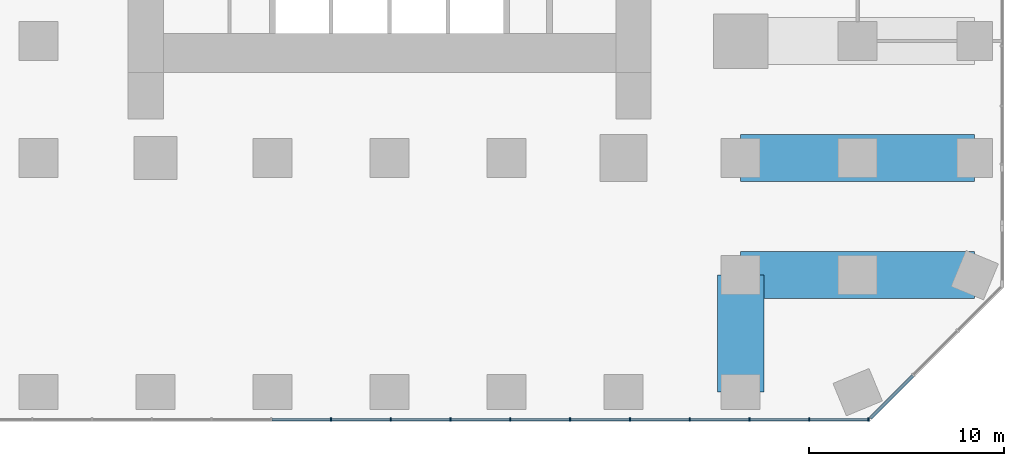
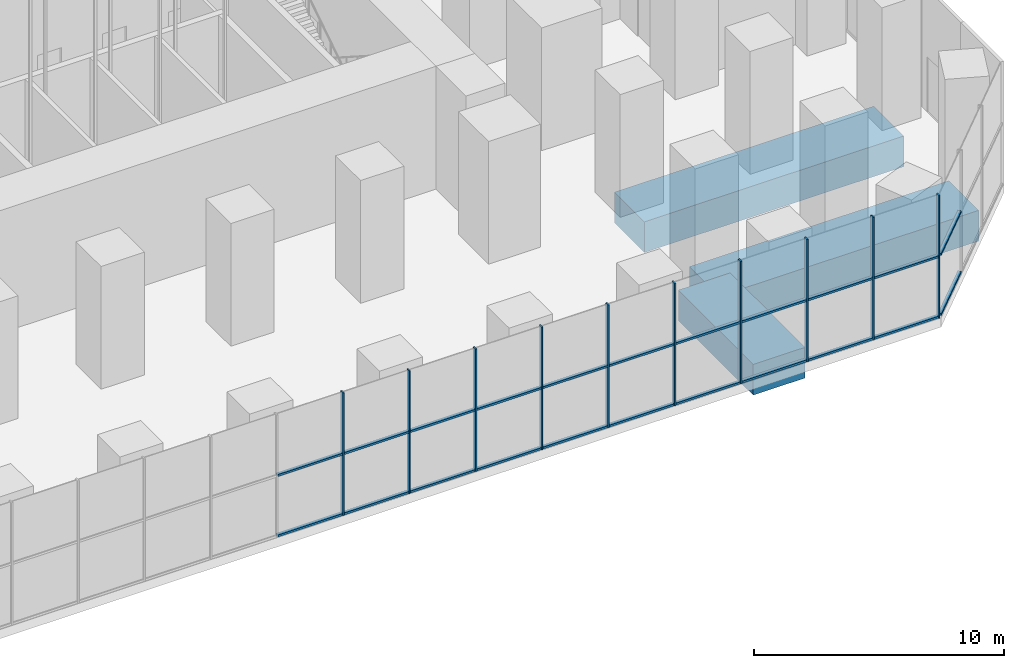
# One storey, part 4 of 21: 32 members, 3 beams, 2 elements without a shape of their own.
"""IFC4 building model written with IfcOpenShell, lengths in metres."""

from ifc_helpers import new_model, si_unit, direction, frame, origin, origin_2d, place, context, subcontext, project, spatial, rectangle, extrude, material, layer, layer_set, material_profile, profile_set, type_object, element, aggregate, save


model = new_model("IFC4")

# Units and contexts
model_context = context("Model", 3, precision=1e-05, world=origin(), true_north=direction((0.0, 1.0)))
body_context = subcontext(model_context, "Body", "Model", "MODEL_VIEW")
ifc_project = project(units=[si_unit("LENGTHUNIT", "METRE"), si_unit("AREAUNIT", "SQUARE_METRE"), si_unit("VOLUMEUNIT", "CUBIC_METRE"), si_unit("PLANEANGLEUNIT", "RADIAN"), si_unit("MASSUNIT", "GRAM", prefix="KILO")], contexts=[model_context])

# Site, building, storey
site_placement = place(None, origin())
site = spatial("IfcSite", under=ifc_project, at=site_placement, CompositionType="ELEMENT")
building_placement = place(site_placement, origin())
building = spatial("IfcBuilding", under=site, at=building_placement, Name="Highveld Stack Headquarters", CompositionType="ELEMENT")
storey_placement = place(building_placement, origin())
storey = spatial("IfcBuildingStorey", under=building, at=storey_placement, Name="L00", CompositionType="ELEMENT", Elevation=0.0)

# Curtain wall, members
ifc_material_1 = material(Name="Aluminium bronze anodised", Category="aluminium")
ifc_layer = layer(ifc_material_1, 0.199951171875)
ifc_layer_set = layer_set([ifc_layer], Name="Aluminium bronze anodised")
curtain_wall_type = type_object("IfcCurtainWallType", Name="CW3 PODIUM STICK CURTAIN WALL", PredefinedType="NOTDEFINED", material=ifc_layer_set)
curtain_wall_1_placement = place(storey_placement, origin())
curtain_wall_1 = element("IfcCurtainWall", 1, at=curtain_wall_1_placement, inside=storey, type_object=curtain_wall_type, Name="Curtain wall CW3 L00 S", PredefinedType="NOTDEFINED")
ifc_material_2 = material(Name="Aluminium bronze anodised", Category="aluminium")
ifc_material_profile_1 = material_profile(ifc_material_2, rectangle(XDim=0.199951171875, YDim=0.06494140625, at=origin_2d()), Name="CW3 MULLION 65x200")
ifc_profile_set_1 = profile_set([ifc_material_profile_1], Name="Aluminium bronze anodised")
member_type_1 = type_object("IfcMemberType", Name="CW3 MULLION 65x200", PredefinedType="MULLION", material=ifc_profile_set_1)
member_1_placement = place(storey_placement, frame((3.0, -25.39990234375, 0.0), z_axis=(0.0, 0.0, 1.0), x_axis=(0.0, 1.0, 0.0)))
member_1 = element("IfcMember", 2, at=member_1_placement, type_object=member_type_1, Name="CW3 mullion L00 10", PredefinedType="MULLION", context=body_context, shape_type="SweptSolid", body=[
    extrude(rectangle(XDim=0.199951171875, YDim=0.06494140625, at=origin_2d()), origin(), (0.0, 0.0, 1.0), 6.0),
])
member_2_placement = place(storey_placement, frame((6.064453125, -25.39990234375, 0.0), z_axis=(0.0, 0.0, 1.0), x_axis=(0.0, 1.0, 0.0)))
member_2 = element("IfcMember", 3, at=member_2_placement, type_object=member_type_1, Name="CW3 mullion L00 11", PredefinedType="MULLION", context=body_context, shape_type="SweptSolid", body=[
    extrude(rectangle(XDim=0.199951171875, YDim=0.06494140625, at=origin_2d()), origin(), (0.0, 0.0, 1.0), 6.0),
])
member_3_placement = place(storey_placement, frame((9.12890625, -25.39990234375, 0.0), z_axis=(0.0, 0.0, 1.0), x_axis=(0.0, 1.0, 0.0)))
member_3 = element("IfcMember", 4, at=member_3_placement, type_object=member_type_1, Name="CW3 mullion L00 12", PredefinedType="MULLION", context=body_context, shape_type="SweptSolid", body=[
    extrude(rectangle(XDim=0.199951171875, YDim=0.06494140625, at=origin_2d()), origin(), (0.0, 0.0, 1.0), 6.0),
])
member_4_placement = place(storey_placement, frame((12.193359375, -25.39990234375, 0.0), z_axis=(0.0, 0.0, 1.0), x_axis=(0.0, 1.0, 0.0)))
member_4 = element("IfcMember", 5, at=member_4_placement, type_object=member_type_1, Name="CW3 mullion L00 13", PredefinedType="MULLION", context=body_context, shape_type="SweptSolid", body=[
    extrude(rectangle(XDim=0.199951171875, YDim=0.06494140625, at=origin_2d()), origin(), (0.0, 0.0, 1.0), 6.0),
])
member_5_placement = place(storey_placement, frame((15.2578125, -25.39990234375, 0.0), z_axis=(0.0, 0.0, 1.0), x_axis=(0.0, 1.0, 0.0)))
member_5 = element("IfcMember", 6, at=member_5_placement, type_object=member_type_1, Name="CW3 mullion L00 14", PredefinedType="MULLION", context=body_context, shape_type="SweptSolid", body=[
    extrude(rectangle(XDim=0.199951171875, YDim=0.06494140625, at=origin_2d()), origin(), (0.0, 0.0, 1.0), 6.0),
])
member_6_placement = place(storey_placement, frame((18.322265625, -25.39990234375, 0.0), z_axis=(0.0, 0.0, 1.0), x_axis=(0.0, 1.0, 0.0)))
member_6 = element("IfcMember", 7, at=member_6_placement, type_object=member_type_1, Name="CW3 mullion L00 15", PredefinedType="MULLION", context=body_context, shape_type="SweptSolid", body=[
    extrude(rectangle(XDim=0.199951171875, YDim=0.06494140625, at=origin_2d()), origin(), (0.0, 0.0, 1.0), 6.0),
])
member_7_placement = place(storey_placement, frame((21.38671875, -25.39990234375, 0.0), z_axis=(0.0, 0.0, 1.0), x_axis=(0.0, 1.0, 0.0)))
member_7 = element("IfcMember", 8, at=member_7_placement, type_object=member_type_1, Name="CW3 mullion L00 16", PredefinedType="MULLION", context=body_context, shape_type="SweptSolid", body=[
    extrude(rectangle(XDim=0.199951171875, YDim=0.06494140625, at=origin_2d()), origin(), (0.0, 0.0, 1.0), 6.0),
])
member_8_placement = place(storey_placement, frame((24.450927734375, -25.39990234375, 0.0), z_axis=(0.0, 0.0, 1.0), x_axis=(0.0, 1.0, 0.0)))
member_8 = element("IfcMember", 9, at=member_8_placement, type_object=member_type_1, Name="CW3 mullion L00 17", PredefinedType="MULLION", context=body_context, shape_type="SweptSolid", body=[
    extrude(rectangle(XDim=0.199951171875, YDim=0.06494140625, at=origin_2d()), origin(), (0.0, 0.0, 1.0), 6.0),
])
member_9_placement = place(storey_placement, frame((27.515380859375, -25.39990234375, 0.0), z_axis=(0.0, 0.0, 1.0), x_axis=(0.0, 1.0, 0.0)))
member_9 = element("IfcMember", 10, at=member_9_placement, type_object=member_type_1, Name="CW3 mullion L00 18", PredefinedType="MULLION", context=body_context, shape_type="SweptSolid", body=[
    extrude(rectangle(XDim=0.199951171875, YDim=0.06494140625, at=origin_2d()), origin(), (0.0, 0.0, 1.0), 6.0),
])
member_10_placement = place(storey_placement, frame((30.54736328125, -25.39990234375, 0.0), z_axis=(0.0, 0.0, 1.0), x_axis=(0.0, 1.0, 0.0)))
member_10 = element("IfcMember", 11, at=member_10_placement, type_object=member_type_1, Name="CW3 mullion L00 19", PredefinedType="MULLION", context=body_context, shape_type="SweptSolid", body=[
    extrude(rectangle(XDim=0.199951171875, YDim=0.06494140625, at=origin_2d()), origin(), (0.0, 0.0, 1.0), 6.0),
])
ifc_material_3 = material(Name="Aluminium bronze anodised", Category="aluminium")
ifc_material_profile_2 = material_profile(ifc_material_3, rectangle(XDim=0.14990234375, YDim=0.10009765625, at=origin_2d()), Name="CW3 TRANSOM 150x100")
ifc_profile_set_2 = profile_set([ifc_material_profile_2], Name="Aluminium bronze anodised")
member_type_2 = type_object("IfcMemberType", Name="CW3 STACK TRANSOM 150x100", PredefinedType="USERDEFINED", material=ifc_profile_set_2)
member_11_placement = place(storey_placement, frame((-0.031982421875, -25.39990234375, 0.050048828125), z_axis=(1.0, 0.0, 0.0), x_axis=(0.0, 1.0, 0.0)))
member_11 = element("IfcMember", 12, at=member_11_placement, type_object=member_type_2, Name="CW3 transom L00 9.1", ObjectType="TRANSOM", PredefinedType="USERDEFINED", context=body_context, shape_type="SweptSolid", body=[
    extrude(rectangle(XDim=0.14990234375, YDim=0.10009765625, at=origin_2d()), origin(), (0.0, 0.0, 1.0), 2.99951171875),
])
member_12_placement = place(storey_placement, frame((-0.031982421875, -25.39990234375, 3.0), z_axis=(1.0, 0.0, 0.0), x_axis=(0.0, 1.0, 0.0)))
member_12 = element("IfcMember", 13, at=member_12_placement, type_object=member_type_2, Name="CW3 transom L00 9.2", ObjectType="TRANSOM", PredefinedType="USERDEFINED", context=body_context, shape_type="SweptSolid", body=[
    extrude(rectangle(XDim=0.14990234375, YDim=0.10009765625, at=origin_2d()), origin(), (0.0, 0.0, 1.0), 2.99951171875),
])
member_13_placement = place(storey_placement, frame((3.032470703125, -25.39990234375, 0.050048828125), z_axis=(1.0, 0.0, 0.0), x_axis=(0.0, 1.0, 0.0)))
member_13 = element("IfcMember", 14, at=member_13_placement, type_object=member_type_2, Name="CW3 transom L00 10.1", ObjectType="TRANSOM", PredefinedType="USERDEFINED", context=body_context, shape_type="SweptSolid", body=[
    extrude(rectangle(XDim=0.14990234375, YDim=0.10009765625, at=origin_2d()), origin(), (0.0, 0.0, 1.0), 2.99951171875),
])
member_14_placement = place(storey_placement, frame((3.032470703125, -25.39990234375, 3.0), z_axis=(1.0, 0.0, 0.0), x_axis=(0.0, 1.0, 0.0)))
member_14 = element("IfcMember", 15, at=member_14_placement, type_object=member_type_2, Name="CW3 transom L00 10.2", ObjectType="TRANSOM", PredefinedType="USERDEFINED", context=body_context, shape_type="SweptSolid", body=[
    extrude(rectangle(XDim=0.14990234375, YDim=0.10009765625, at=origin_2d()), origin(), (0.0, 0.0, 1.0), 2.99951171875),
])
member_15_placement = place(storey_placement, frame((6.096923828125, -25.39990234375, 0.050048828125), z_axis=(1.0, 0.0, 0.0), x_axis=(0.0, 1.0, 0.0)))
member_15 = element("IfcMember", 16, at=member_15_placement, type_object=member_type_2, Name="CW3 transom L00 11.1", ObjectType="TRANSOM", PredefinedType="USERDEFINED", context=body_context, shape_type="SweptSolid", body=[
    extrude(rectangle(XDim=0.14990234375, YDim=0.10009765625, at=origin_2d()), origin(), (0.0, 0.0, 1.0), 2.99951171875),
])
member_16_placement = place(storey_placement, frame((6.096923828125, -25.39990234375, 3.0), z_axis=(1.0, 0.0, 0.0), x_axis=(0.0, 1.0, 0.0)))
member_16 = element("IfcMember", 17, at=member_16_placement, type_object=member_type_2, Name="CW3 transom L00 11.2", ObjectType="TRANSOM", PredefinedType="USERDEFINED", context=body_context, shape_type="SweptSolid", body=[
    extrude(rectangle(XDim=0.14990234375, YDim=0.10009765625, at=origin_2d()), origin(), (0.0, 0.0, 1.0), 2.99951171875),
])
member_17_placement = place(storey_placement, frame((9.161376953125, -25.39990234375, 0.050048828125), z_axis=(1.0, 0.0, 0.0), x_axis=(0.0, 1.0, 0.0)))
member_17 = element("IfcMember", 18, at=member_17_placement, type_object=member_type_2, Name="CW3 transom L00 12.1", ObjectType="TRANSOM", PredefinedType="USERDEFINED", context=body_context, shape_type="SweptSolid", body=[
    extrude(rectangle(XDim=0.14990234375, YDim=0.10009765625, at=origin_2d()), origin(), (0.0, 0.0, 1.0), 2.99951171875),
])
member_18_placement = place(storey_placement, frame((9.161376953125, -25.39990234375, 3.0), z_axis=(1.0, 0.0, 0.0), x_axis=(0.0, 1.0, 0.0)))
member_18 = element("IfcMember", 19, at=member_18_placement, type_object=member_type_2, Name="CW3 transom L00 12.2", ObjectType="TRANSOM", PredefinedType="USERDEFINED", context=body_context, shape_type="SweptSolid", body=[
    extrude(rectangle(XDim=0.14990234375, YDim=0.10009765625, at=origin_2d()), origin(), (0.0, 0.0, 1.0), 2.99951171875),
])
member_19_placement = place(storey_placement, frame((12.225830078125, -25.39990234375, 0.050048828125), z_axis=(1.0, 0.0, 0.0), x_axis=(0.0, 1.0, 0.0)))
member_19 = element("IfcMember", 20, at=member_19_placement, type_object=member_type_2, Name="CW3 transom L00 13.1", ObjectType="TRANSOM", PredefinedType="USERDEFINED", context=body_context, shape_type="SweptSolid", body=[
    extrude(rectangle(XDim=0.14990234375, YDim=0.10009765625, at=origin_2d()), origin(), (0.0, 0.0, 1.0), 2.999267578125),
])
member_20_placement = place(storey_placement, frame((12.225830078125, -25.39990234375, 3.0), z_axis=(1.0, 0.0, 0.0), x_axis=(0.0, 1.0, 0.0)))
member_20 = element("IfcMember", 21, at=member_20_placement, type_object=member_type_2, Name="CW3 transom L00 13.2", ObjectType="TRANSOM", PredefinedType="USERDEFINED", context=body_context, shape_type="SweptSolid", body=[
    extrude(rectangle(XDim=0.14990234375, YDim=0.10009765625, at=origin_2d()), origin(), (0.0, 0.0, 1.0), 2.999267578125),
])
member_21_placement = place(storey_placement, frame((15.290283203125, -25.39990234375, 0.050048828125), z_axis=(1.0, 0.0, 0.0), x_axis=(0.0, 1.0, 0.0)))
member_21 = element("IfcMember", 22, at=member_21_placement, type_object=member_type_2, Name="CW3 transom L00 14.1", ObjectType="TRANSOM", PredefinedType="USERDEFINED", context=body_context, shape_type="SweptSolid", body=[
    extrude(rectangle(XDim=0.14990234375, YDim=0.10009765625, at=origin_2d()), origin(), (0.0, 0.0, 1.0), 2.99951171875),
])
member_22_placement = place(storey_placement, frame((15.290283203125, -25.39990234375, 3.0), z_axis=(1.0, 0.0, 0.0), x_axis=(0.0, 1.0, 0.0)))
member_22 = element("IfcMember", 23, at=member_22_placement, type_object=member_type_2, Name="CW3 transom L00 14.2", ObjectType="TRANSOM", PredefinedType="USERDEFINED", context=body_context, shape_type="SweptSolid", body=[
    extrude(rectangle(XDim=0.14990234375, YDim=0.10009765625, at=origin_2d()), origin(), (0.0, 0.0, 1.0), 2.99951171875),
])
member_23_placement = place(storey_placement, frame((18.354736328125, -25.39990234375, 0.050048828125), z_axis=(1.0, 0.0, 0.0), x_axis=(0.0, 1.0, 0.0)))
member_23 = element("IfcMember", 24, at=member_23_placement, type_object=member_type_2, Name="CW3 transom L00 15.1", ObjectType="TRANSOM", PredefinedType="USERDEFINED", context=body_context, shape_type="SweptSolid", body=[
    extrude(rectangle(XDim=0.14990234375, YDim=0.10009765625, at=origin_2d()), origin(), (0.0, 0.0, 1.0), 2.999267578125),
])
member_24_placement = place(storey_placement, frame((18.354736328125, -25.39990234375, 3.0), z_axis=(1.0, 0.0, 0.0), x_axis=(0.0, 1.0, 0.0)))
member_24 = element("IfcMember", 25, at=member_24_placement, type_object=member_type_2, Name="CW3 transom L00 15.2", ObjectType="TRANSOM", PredefinedType="USERDEFINED", context=body_context, shape_type="SweptSolid", body=[
    extrude(rectangle(XDim=0.14990234375, YDim=0.10009765625, at=origin_2d()), origin(), (0.0, 0.0, 1.0), 2.999267578125),
])
member_25_placement = place(storey_placement, frame((21.419189453125, -25.39990234375, 0.050048828125), z_axis=(1.0, 0.0, 0.0), x_axis=(0.0, 1.0, 0.0)))
member_25 = element("IfcMember", 26, at=member_25_placement, type_object=member_type_2, Name="CW3 transom L00 16.1", ObjectType="TRANSOM", PredefinedType="USERDEFINED", context=body_context, shape_type="SweptSolid", body=[
    extrude(rectangle(XDim=0.14990234375, YDim=0.10009765625, at=origin_2d()), origin(), (0.0, 0.0, 1.0), 2.999267578125),
])
member_26_placement = place(storey_placement, frame((21.419189453125, -25.39990234375, 3.0), z_axis=(1.0, 0.0, 0.0), x_axis=(0.0, 1.0, 0.0)))
member_26 = element("IfcMember", 27, at=member_26_placement, type_object=member_type_2, Name="CW3 transom L00 16.2", ObjectType="TRANSOM", PredefinedType="USERDEFINED", context=body_context, shape_type="SweptSolid", body=[
    extrude(rectangle(XDim=0.14990234375, YDim=0.10009765625, at=origin_2d()), origin(), (0.0, 0.0, 1.0), 2.999267578125),
])
member_27_placement = place(storey_placement, frame((24.4833984375, -25.39990234375, 0.050048828125), z_axis=(1.0, 0.0, 0.0), x_axis=(0.0, 1.0, 0.0)))
member_27 = element("IfcMember", 28, at=member_27_placement, type_object=member_type_2, Name="CW3 transom L00 17.1", ObjectType="TRANSOM", PredefinedType="USERDEFINED", context=body_context, shape_type="SweptSolid", body=[
    extrude(rectangle(XDim=0.14990234375, YDim=0.10009765625, at=origin_2d()), origin(), (0.0, 0.0, 1.0), 2.99951171875),
])
member_28_placement = place(storey_placement, frame((24.4833984375, -25.39990234375, 3.0), z_axis=(1.0, 0.0, 0.0), x_axis=(0.0, 1.0, 0.0)))
member_28 = element("IfcMember", 29, at=member_28_placement, type_object=member_type_2, Name="CW3 transom L00 17.2", ObjectType="TRANSOM", PredefinedType="USERDEFINED", context=body_context, shape_type="SweptSolid", body=[
    extrude(rectangle(XDim=0.14990234375, YDim=0.10009765625, at=origin_2d()), origin(), (0.0, 0.0, 1.0), 2.99951171875),
])
member_29_placement = place(storey_placement, frame((27.548095703125, -25.39990234375, 0.050048828125), z_axis=(1.0, 0.0, 0.0), x_axis=(0.0, 1.0, 0.0)))
member_29 = element("IfcMember", 30, at=member_29_placement, type_object=member_type_2, Name="CW3 transom L00 18.1", ObjectType="TRANSOM", PredefinedType="USERDEFINED", context=body_context, shape_type="SweptSolid", body=[
    extrude(rectangle(XDim=0.14990234375, YDim=0.10009765625, at=origin_2d()), origin(), (0.0, 0.0, 1.0), 2.966796875),
])
member_30_placement = place(storey_placement, frame((27.548095703125, -25.39990234375, 3.0), z_axis=(1.0, 0.0, 0.0), x_axis=(0.0, 1.0, 0.0)))
member_30 = element("IfcMember", 31, at=member_30_placement, type_object=member_type_2, Name="CW3 transom L00 18.2", ObjectType="TRANSOM", PredefinedType="USERDEFINED", context=body_context, shape_type="SweptSolid", body=[
    extrude(rectangle(XDim=0.14990234375, YDim=0.10009765625, at=origin_2d()), origin(), (0.0, 0.0, 1.0), 2.966796875),
])
aggregate(curtain_wall_1, [member_1, member_2, member_3, member_4, member_5, member_6, member_7, member_8, member_9, member_10, member_11, member_12, member_13, member_14, member_15, member_16, member_17, member_18, member_19, member_20, member_21, member_22, member_23, member_24, member_25, member_26, member_27, member_28, member_29, member_30])

curtain_wall_2_placement = place(storey_placement, origin())
curtain_wall_2 = element("IfcCurtainWall", 32, at=curtain_wall_2_placement, inside=storey, type_object=curtain_wall_type, Name="Curtain wall CW3 L00 SE", PredefinedType="NOTDEFINED")
member_31_placement = place(storey_placement, frame((30.650634765625, -25.329345703125, 0.050048828125), z_axis=(0.707106781187, 0.707106781187, 0.0), x_axis=(-0.707106781187, 0.707106781187, 0.0)))
member_31 = element("IfcMember", 33, at=member_31_placement, type_object=member_type_2, Name="CW3 transom L00 1.1", ObjectType="TRANSOM", PredefinedType="USERDEFINED", context=body_context, shape_type="SweptSolid", body=[
    extrude(rectangle(XDim=0.14990234375, YDim=0.10009765625, at=origin_2d()), origin(), (0.0, 0.0, 1.0), 3.08251953125),
])
member_32_placement = place(storey_placement, frame((30.650634765625, -25.329345703125, 3.0), z_axis=(0.707106781187, 0.707106781187, 0.0), x_axis=(-0.707106781187, 0.707106781187, 0.0)))
member_32 = element("IfcMember", 34, at=member_32_placement, type_object=member_type_2, Name="CW3 transom L00 1.2", ObjectType="TRANSOM", PredefinedType="USERDEFINED", context=body_context, shape_type="SweptSolid", body=[
    extrude(rectangle(XDim=0.14990234375, YDim=0.10009765625, at=origin_2d()), origin(), (0.0, 0.0, 1.0), 3.08251953125),
])
aggregate(curtain_wall_2, [member_31, member_32])

# Beams
ifc_material_4 = material(Name="Concrete C60/75", Category="concrete")
ifc_material_profile_3 = material_profile(ifc_material_4, rectangle(XDim=2.39990234375, YDim=1.5, at=origin_2d()), Name="RC 2400x1500")
ifc_profile_set_3 = profile_set([ifc_material_profile_3], Name="Concrete C60/75")
beam_type = type_object("IfcBeamType", Name="TRANSFER GIRDER RC 2400x1500 C60/75", PredefinedType="USERDEFINED", material=ifc_profile_set_3)
beam_placement = place(storey_placement, frame((24.0, -18.0, -1.199951171875), z_axis=(0.0, -1.0, 0.0), x_axis=(1.0, 0.0, 0.0)))
element("IfcBeam", 35, at=beam_placement, inside=storey, type_object=beam_type, Name="Transfer girder 10/B", ObjectType="TRANSFER GIRDER", PredefinedType="USERDEFINED", context=body_context, shape_type="SweptSolid", body=[
    extrude(rectangle(XDim=2.39990234375, YDim=1.5, at=origin_2d()), origin(), (0.0, 0.0, 1.0), 6.0),
])
for number, where, z_axis, x_axis, name in (
    (36, (24.0, -18.0, -1.199951171875), (1.0, 0.0, 0.0), (0.0, 1.0, 0.0), "Transfer girder 10/B"),
    (37, (24.0, -12.0, -1.199951171875), (1.0, 0.0, 0.0), (0.0, 1.0, 0.0), "Transfer girder 10/C"),
):
    element("IfcBeam", number, at=place(storey_placement, frame(where, z_axis=z_axis, x_axis=x_axis)), inside=storey, type_object=beam_type, Name=name, ObjectType="TRANSFER GIRDER", PredefinedType="USERDEFINED", context=body_context, shape_type="SweptSolid", body=[
        extrude(rectangle(XDim=2.39990234375, YDim=1.5, at=origin_2d()), origin(), (0.0, 0.0, 1.0), 12.0),
    ])

save(model, "model.ifc")
